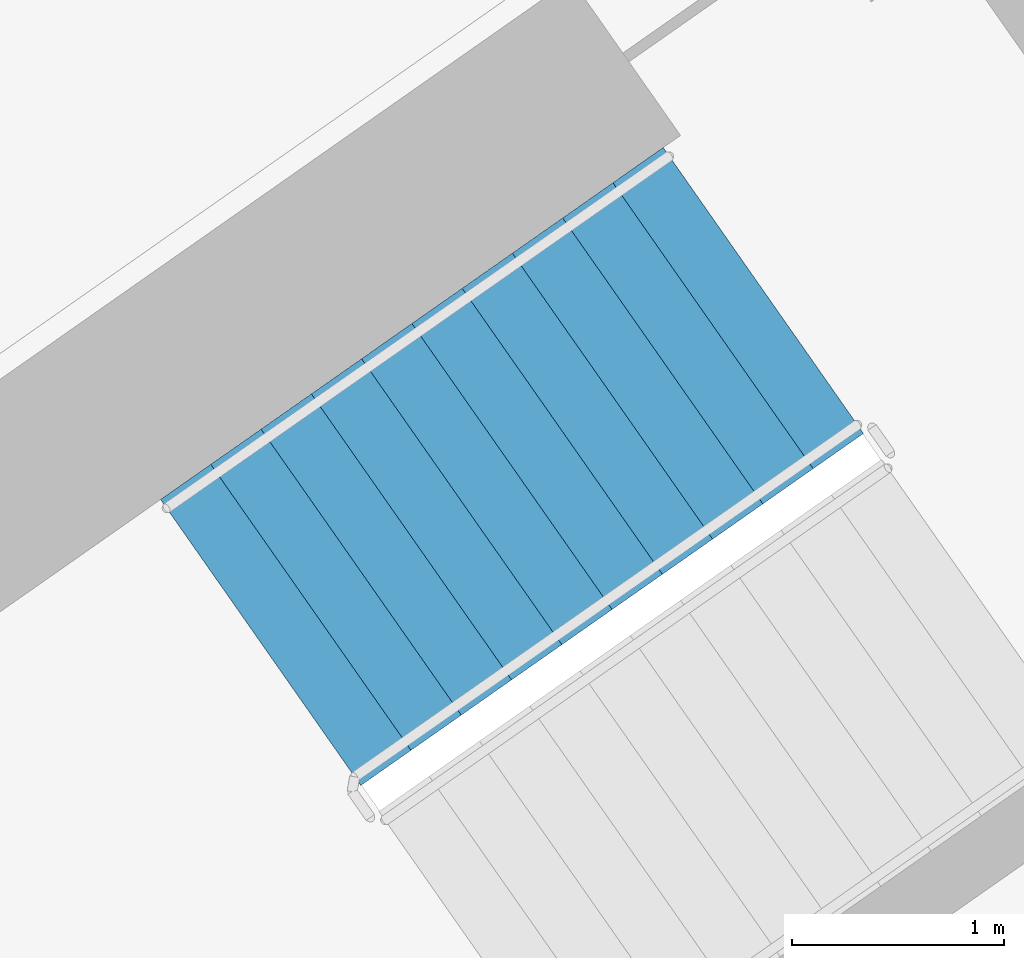
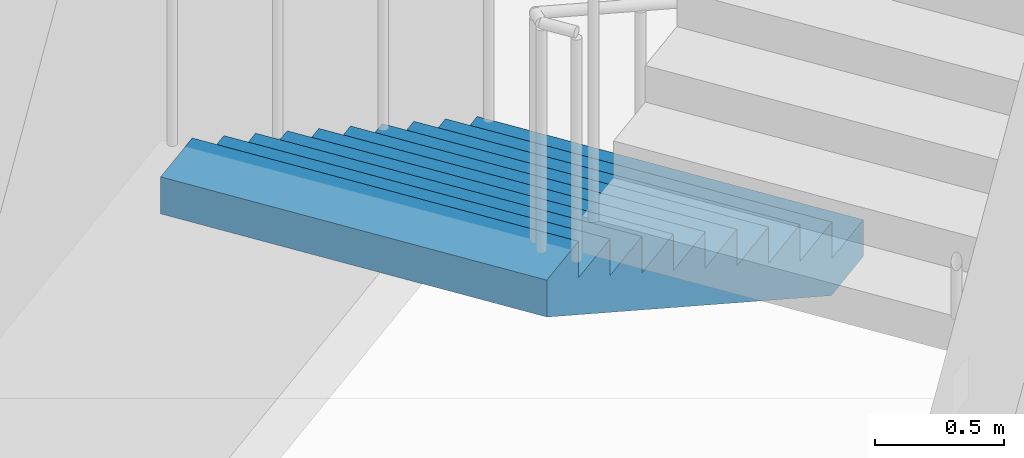
# One storey, part 15 of 29: 1 stair flight, 1 element without a shape of its own.
"""IFC4 building model written with IfcOpenShell, lengths in metres."""

from ifc_helpers import new_model, si_unit, direction, frame, origin, place, context, subcontext, project, spatial, faceted_brep, material, type_object, element, aggregate, save


model = new_model("IFC4")

# Units and contexts
model_context = context("Model", 3, precision=1e-05, world=origin(), true_north=direction((0.0, 1.0)))
body_context = subcontext(model_context, "Body", "Model", "MODEL_VIEW")
ifc_project = project(units=[si_unit("LENGTHUNIT", "METRE"), si_unit("AREAUNIT", "SQUARE_METRE"), si_unit("VOLUMEUNIT", "CUBIC_METRE"), si_unit("PLANEANGLEUNIT", "RADIAN"), si_unit("MASSUNIT", "GRAM", prefix="KILO")], contexts=[model_context])

# Site, building, storey
site_placement = place(None, origin())
site = spatial("IfcSite", under=ifc_project, at=site_placement, CompositionType="ELEMENT")
building_placement = place(site_placement, origin())
building = spatial("IfcBuilding", under=site, at=building_placement, Name="Qamariyya Broadcast Tower", CompositionType="ELEMENT")
storey_placement = place(building_placement, frame((0.0, 0.0, 113.89990234375)))
storey = spatial("IfcBuildingStorey", under=building, at=storey_placement, Name="L25", CompositionType="ELEMENT", Elevation=113.89990234375)

# Stair, stair flight
ifc_material = material(Name="Concrete C50/60", Category="concrete")
stair_type = type_object("IfcStairType", Name="Exit stair 22 risers of 173 mm", PredefinedType="HALF_TURN_STAIR", material=ifc_material)
stair_placement = place(storey_placement, origin())
stair = element("IfcStair", 1, at=stair_placement, inside=storey, type_object=stair_type, Name="L25 Stair E2", PredefinedType="HALF_TURN_STAIR")
stair_flight_type = type_object("IfcStairFlightType", Name="Exit stair flight 11 risers of 173 mm", PredefinedType="STRAIGHT", material=ifc_material)
stair_flight_placement = place(storey_placement, frame((40.558837890625, -47.685302734375, 0.0), z_axis=(0.0, 0.0, 1.0), x_axis=(-0.819152044289, -0.573576436351, 0.0)))
stair_flight = element("IfcStairFlight", 2, at=stair_flight_placement, type_object=stair_flight_type, Name="ST-E2 flight 1", NumberOfRisers=11, NumberOfTreads=10, PredefinedType="STRAIGHT", RiserHeight=0.172727273, TreadLength=0.29, context=body_context, shape_type="Brep", body=[
    faceted_brep([(0.0, 0.824951171875, 0.0), (0.0, 0.824951171875, 0.172607421875), (0.2900390625, 0.824951171875, 0.172607421875), (0.2900390625, 0.824951171875, 0.345458984375), (0.580078125, 0.824951171875, 0.345458984375), (0.580078125, 0.824951171875, 0.51806640625), (0.8701171875, 0.824951171875, 0.51806640625), (0.8701171875, 0.824951171875, 0.69091796875), (1.159912109375, 0.824951171875, 0.69091796875), (1.159912109375, 0.824951171875, 0.863525390625), (1.449951171875, 0.824951171875, 0.863525390625), (1.449951171875, 0.824951171875, 1.036376953125), (1.739990234375, 0.824951171875, 1.036376953125), (1.739990234375, 0.824951171875, 1.208984375), (2.030029296875, 0.824951171875, 1.208984375), (2.030029296875, 0.824951171875, 1.3818359375), (2.320068359375, 0.824951171875, 1.3818359375), (2.320068359375, 0.824951171875, 1.554443359375), (2.610107421875, 0.824951171875, 1.554443359375), (2.610107421875, 0.824951171875, 1.727294921875), (2.89990234375, 0.824951171875, 1.727294921875), (2.89990234375, 0.824951171875, 1.552734375), (0.29296875, 0.824951171875, 0.0), (0.29296875, -0.824951171875, 0.0), (2.89990234375, -0.824951171875, 1.552734375), (2.89990234375, -0.824951171875, 1.727294921875), (2.610107421875, -0.824951171875, 1.727294921875), (2.610107421875, -0.824951171875, 1.554443359375), (2.320068359375, -0.824951171875, 1.554443359375), (2.320068359375, -0.824951171875, 1.3818359375), (2.030029296875, -0.824951171875, 1.3818359375), (2.030029296875, -0.824951171875, 1.208984375), (1.739990234375, -0.824951171875, 1.208984375), (1.739990234375, -0.824951171875, 1.036376953125), (1.449951171875, -0.824951171875, 1.036376953125), (1.449951171875, -0.824951171875, 0.863525390625), (1.159912109375, -0.824951171875, 0.863525390625), (1.159912109375, -0.824951171875, 0.69091796875), (0.8701171875, -0.824951171875, 0.69091796875), (0.8701171875, -0.824951171875, 0.51806640625), (0.580078125, -0.824951171875, 0.51806640625), (0.580078125, -0.824951171875, 0.345458984375), (0.2900390625, -0.824951171875, 0.345458984375), (0.2900390625, -0.824951171875, 0.172607421875), (0.0, -0.824951171875, 0.172607421875), (0.0, -0.824951171875, 0.0), (0.0, 0.10009765625, 0.0), (0.0, 0.086669921875, 0.0), (0.0, 0.0732421875, 0.0), (0.0, 0.06005859375, 0.0), (0.0, 0.046630859375, 0.0), (0.0, 0.033447265625, 0.0), (0.0, 0.02001953125, 0.0), (0.0, 0.006591796875, 0.0), (0.0, -0.006591796875, 0.0), (0.0, -0.02001953125, 0.0), (0.0, -0.033447265625, 0.0), (0.0, -0.046630859375, 0.0), (0.0, -0.06005859375, 0.0), (0.0, -0.0732421875, 0.0), (0.0, -0.086669921875, 0.0), (0.0, -0.10009765625, 0.0), (0.0, -0.10009765625, 0.172607421875), (0.0, -0.086669921875, 0.172607421875), (0.0, -0.0732421875, 0.172607421875), (0.0, -0.06005859375, 0.172607421875), (0.0, -0.046630859375, 0.172607421875), (0.0, -0.033447265625, 0.172607421875), (0.0, -0.02001953125, 0.172607421875), (0.0, -0.006591796875, 0.172607421875), (0.0, 0.006591796875, 0.172607421875), (0.0, 0.02001953125, 0.172607421875), (0.0, 0.033447265625, 0.172607421875), (0.0, 0.046630859375, 0.172607421875), (0.0, 0.06005859375, 0.172607421875), (0.0, 0.0732421875, 0.172607421875), (0.0, 0.086669921875, 0.172607421875), (0.0, 0.10009765625, 0.172607421875), (0.2900390625, -0.10009765625, 0.172607421875), (0.2900390625, -0.086669921875, 0.172607421875), (0.2900390625, -0.0732421875, 0.172607421875), (0.2900390625, -0.06005859375, 0.172607421875), (0.2900390625, -0.046630859375, 0.172607421875), (0.2900390625, -0.033447265625, 0.172607421875), (0.2900390625, -0.02001953125, 0.172607421875), (0.2900390625, -0.006591796875, 0.172607421875), (0.2900390625, 0.006591796875, 0.172607421875), (0.2900390625, 0.02001953125, 0.172607421875), (0.2900390625, 0.033447265625, 0.172607421875), (0.2900390625, 0.046630859375, 0.172607421875), (0.2900390625, 0.06005859375, 0.172607421875), (0.2900390625, 0.0732421875, 0.172607421875), (0.2900390625, 0.086669921875, 0.172607421875), (0.2900390625, 0.10009765625, 0.172607421875), (0.2900390625, -0.10009765625, 0.345458984375), (0.2900390625, -0.086669921875, 0.345458984375), (0.2900390625, -0.0732421875, 0.345458984375), (0.2900390625, -0.06005859375, 0.345458984375), (0.2900390625, -0.046630859375, 0.345458984375), (0.2900390625, -0.033447265625, 0.345458984375), (0.2900390625, -0.02001953125, 0.345458984375), (0.2900390625, -0.006591796875, 0.345458984375), (0.2900390625, 0.006591796875, 0.345458984375), (0.2900390625, 0.02001953125, 0.345458984375), (0.2900390625, 0.033447265625, 0.345458984375), (0.2900390625, 0.046630859375, 0.345458984375), (0.2900390625, 0.06005859375, 0.345458984375), (0.2900390625, 0.0732421875, 0.345458984375), (0.2900390625, 0.086669921875, 0.345458984375), (0.2900390625, 0.10009765625, 0.345458984375), (0.580078125, -0.10009765625, 0.345458984375), (0.580078125, -0.086669921875, 0.345458984375), (0.580078125, -0.0732421875, 0.345458984375), (0.580078125, -0.06005859375, 0.345458984375), (0.580078125, -0.046630859375, 0.345458984375), (0.580078125, -0.033447265625, 0.345458984375), (0.580078125, -0.02001953125, 0.345458984375), (0.580078125, -0.006591796875, 0.345458984375), (0.580078125, 0.006591796875, 0.345458984375), (0.580078125, 0.02001953125, 0.345458984375), (0.580078125, 0.033447265625, 0.345458984375), (0.580078125, 0.046630859375, 0.345458984375), (0.580078125, 0.06005859375, 0.345458984375), (0.580078125, 0.0732421875, 0.345458984375), (0.580078125, 0.086669921875, 0.345458984375), (0.580078125, 0.10009765625, 0.345458984375), (0.580078125, -0.10009765625, 0.51806640625), (0.580078125, -0.086669921875, 0.51806640625), (0.580078125, -0.0732421875, 0.51806640625), (0.580078125, -0.06005859375, 0.51806640625), (0.580078125, -0.046630859375, 0.51806640625), (0.580078125, -0.033447265625, 0.51806640625), (0.580078125, -0.02001953125, 0.51806640625), (0.580078125, -0.006591796875, 0.51806640625), (0.580078125, 0.006591796875, 0.51806640625), (0.580078125, 0.02001953125, 0.51806640625), (0.580078125, 0.033447265625, 0.51806640625), (0.580078125, 0.046630859375, 0.51806640625), (0.580078125, 0.06005859375, 0.51806640625), (0.580078125, 0.0732421875, 0.51806640625), (0.580078125, 0.086669921875, 0.51806640625), (0.580078125, 0.10009765625, 0.51806640625), (0.8701171875, -0.10009765625, 0.51806640625), (0.8701171875, -0.086669921875, 0.51806640625), (0.8701171875, -0.0732421875, 0.51806640625), (0.8701171875, -0.06005859375, 0.51806640625), (0.8701171875, -0.046630859375, 0.51806640625), (0.8701171875, -0.033447265625, 0.51806640625), (0.8701171875, -0.02001953125, 0.51806640625), (0.8701171875, -0.006591796875, 0.51806640625), (0.8701171875, 0.006591796875, 0.51806640625), (0.8701171875, 0.02001953125, 0.51806640625), (0.8701171875, 0.033447265625, 0.51806640625), (0.8701171875, 0.046630859375, 0.51806640625), (0.8701171875, 0.06005859375, 0.51806640625), (0.8701171875, 0.0732421875, 0.51806640625), (0.8701171875, 0.086669921875, 0.51806640625), (0.8701171875, 0.10009765625, 0.51806640625), (0.8701171875, -0.10009765625, 0.69091796875), (0.8701171875, -0.086669921875, 0.69091796875), (0.8701171875, -0.0732421875, 0.69091796875), (0.8701171875, -0.06005859375, 0.69091796875), (0.8701171875, -0.046630859375, 0.69091796875), (0.8701171875, -0.033447265625, 0.69091796875), (0.8701171875, -0.02001953125, 0.69091796875), (0.8701171875, -0.006591796875, 0.69091796875), (0.8701171875, 0.006591796875, 0.69091796875), (0.8701171875, 0.02001953125, 0.69091796875), (0.8701171875, 0.033447265625, 0.69091796875), (0.8701171875, 0.046630859375, 0.69091796875), (0.8701171875, 0.06005859375, 0.69091796875), (0.8701171875, 0.0732421875, 0.69091796875), (0.8701171875, 0.086669921875, 0.69091796875), (0.8701171875, 0.10009765625, 0.69091796875), (1.159912109375, -0.10009765625, 0.69091796875), (1.159912109375, -0.086669921875, 0.69091796875), (1.159912109375, -0.0732421875, 0.69091796875), (1.159912109375, -0.06005859375, 0.69091796875), (1.159912109375, -0.046630859375, 0.69091796875), (1.159912109375, -0.033447265625, 0.69091796875), (1.159912109375, -0.02001953125, 0.69091796875), (1.159912109375, -0.006591796875, 0.69091796875), (1.159912109375, 0.006591796875, 0.69091796875), (1.159912109375, 0.02001953125, 0.69091796875), (1.159912109375, 0.033447265625, 0.69091796875), (1.159912109375, 0.046630859375, 0.69091796875), (1.159912109375, 0.06005859375, 0.69091796875), (1.159912109375, 0.0732421875, 0.69091796875), (1.159912109375, 0.086669921875, 0.69091796875), (1.159912109375, 0.10009765625, 0.69091796875), (1.159912109375, -0.10009765625, 0.863525390625), (1.159912109375, -0.086669921875, 0.863525390625), (1.159912109375, -0.0732421875, 0.863525390625), (1.159912109375, -0.06005859375, 0.863525390625), (1.159912109375, -0.046630859375, 0.863525390625), (1.159912109375, -0.033447265625, 0.863525390625), (1.159912109375, -0.02001953125, 0.863525390625), (1.159912109375, -0.006591796875, 0.863525390625), (1.159912109375, 0.006591796875, 0.863525390625), (1.159912109375, 0.02001953125, 0.863525390625), (1.159912109375, 0.033447265625, 0.863525390625), (1.159912109375, 0.046630859375, 0.863525390625), (1.159912109375, 0.06005859375, 0.863525390625), (1.159912109375, 0.0732421875, 0.863525390625), (1.159912109375, 0.086669921875, 0.863525390625), (1.159912109375, 0.10009765625, 0.863525390625), (1.449951171875, -0.10009765625, 0.863525390625), (1.449951171875, -0.086669921875, 0.863525390625), (1.449951171875, -0.0732421875, 0.863525390625), (1.449951171875, -0.06005859375, 0.863525390625), (1.449951171875, -0.046630859375, 0.863525390625), (1.449951171875, -0.033447265625, 0.863525390625), (1.449951171875, -0.02001953125, 0.863525390625), (1.449951171875, -0.006591796875, 0.863525390625), (1.449951171875, 0.006591796875, 0.863525390625), (1.449951171875, 0.02001953125, 0.863525390625), (1.449951171875, 0.033447265625, 0.863525390625), (1.449951171875, 0.046630859375, 0.863525390625), (1.449951171875, 0.06005859375, 0.863525390625), (1.449951171875, 0.0732421875, 0.863525390625), (1.449951171875, 0.086669921875, 0.863525390625), (1.449951171875, 0.10009765625, 0.863525390625), (1.449951171875, -0.10009765625, 1.036376953125), (1.449951171875, -0.086669921875, 1.036376953125), (1.449951171875, -0.0732421875, 1.036376953125), (1.449951171875, -0.06005859375, 1.036376953125), (1.449951171875, -0.046630859375, 1.036376953125), (1.449951171875, -0.033447265625, 1.036376953125), (1.449951171875, -0.02001953125, 1.036376953125), (1.449951171875, -0.006591796875, 1.036376953125), (1.449951171875, 0.006591796875, 1.036376953125), (1.449951171875, 0.02001953125, 1.036376953125), (1.449951171875, 0.033447265625, 1.036376953125), (1.449951171875, 0.046630859375, 1.036376953125), (1.449951171875, 0.06005859375, 1.036376953125), (1.449951171875, 0.0732421875, 1.036376953125), (1.449951171875, 0.086669921875, 1.036376953125), (1.449951171875, 0.10009765625, 1.036376953125), (1.739990234375, -0.10009765625, 1.036376953125), (1.739990234375, -0.086669921875, 1.036376953125), (1.739990234375, -0.0732421875, 1.036376953125), (1.739990234375, -0.06005859375, 1.036376953125), (1.739990234375, -0.046630859375, 1.036376953125), (1.739990234375, -0.033447265625, 1.036376953125), (1.739990234375, -0.02001953125, 1.036376953125), (1.739990234375, -0.006591796875, 1.036376953125), (1.739990234375, 0.006591796875, 1.036376953125), (1.739990234375, 0.02001953125, 1.036376953125), (1.739990234375, 0.033447265625, 1.036376953125), (1.739990234375, 0.046630859375, 1.036376953125), (1.739990234375, 0.06005859375, 1.036376953125), (1.739990234375, 0.0732421875, 1.036376953125), (1.739990234375, 0.086669921875, 1.036376953125), (1.739990234375, 0.10009765625, 1.036376953125), (1.739990234375, -0.10009765625, 1.208984375), (1.739990234375, -0.086669921875, 1.208984375), (1.739990234375, -0.0732421875, 1.208984375), (1.739990234375, -0.06005859375, 1.208984375), (1.739990234375, -0.046630859375, 1.208984375), (1.739990234375, -0.033447265625, 1.208984375), (1.739990234375, -0.02001953125, 1.208984375), (1.739990234375, -0.006591796875, 1.208984375), (1.739990234375, 0.006591796875, 1.208984375), (1.739990234375, 0.02001953125, 1.208984375), (1.739990234375, 0.033447265625, 1.208984375), (1.739990234375, 0.046630859375, 1.208984375), (1.739990234375, 0.06005859375, 1.208984375), (1.739990234375, 0.0732421875, 1.208984375), (1.739990234375, 0.086669921875, 1.208984375), (1.739990234375, 0.10009765625, 1.208984375), (2.030029296875, -0.10009765625, 1.208984375), (2.030029296875, -0.086669921875, 1.208984375), (2.030029296875, -0.0732421875, 1.208984375), (2.030029296875, -0.06005859375, 1.208984375), (2.030029296875, -0.046630859375, 1.208984375), (2.030029296875, -0.033447265625, 1.208984375), (2.030029296875, -0.02001953125, 1.208984375), (2.030029296875, -0.006591796875, 1.208984375), (2.030029296875, 0.006591796875, 1.208984375), (2.030029296875, 0.02001953125, 1.208984375), (2.030029296875, 0.033447265625, 1.208984375), (2.030029296875, 0.046630859375, 1.208984375), (2.030029296875, 0.06005859375, 1.208984375), (2.030029296875, 0.0732421875, 1.208984375), (2.030029296875, 0.086669921875, 1.208984375), (2.030029296875, 0.10009765625, 1.208984375), (2.030029296875, -0.10009765625, 1.3818359375), (2.030029296875, -0.086669921875, 1.3818359375), (2.030029296875, -0.0732421875, 1.3818359375), (2.030029296875, -0.06005859375, 1.3818359375), (2.030029296875, -0.046630859375, 1.3818359375), (2.030029296875, -0.033447265625, 1.3818359375), (2.030029296875, -0.02001953125, 1.3818359375), (2.030029296875, -0.006591796875, 1.3818359375), (2.030029296875, 0.006591796875, 1.3818359375), (2.030029296875, 0.02001953125, 1.3818359375), (2.030029296875, 0.033447265625, 1.3818359375), (2.030029296875, 0.046630859375, 1.3818359375), (2.030029296875, 0.06005859375, 1.3818359375), (2.030029296875, 0.0732421875, 1.3818359375), (2.030029296875, 0.086669921875, 1.3818359375), (2.030029296875, 0.10009765625, 1.3818359375), (2.320068359375, -0.10009765625, 1.3818359375), (2.320068359375, -0.086669921875, 1.3818359375), (2.320068359375, -0.0732421875, 1.3818359375), (2.320068359375, -0.06005859375, 1.3818359375), (2.320068359375, -0.046630859375, 1.3818359375), (2.320068359375, -0.033447265625, 1.3818359375), (2.320068359375, -0.02001953125, 1.3818359375), (2.320068359375, -0.006591796875, 1.3818359375), (2.320068359375, 0.006591796875, 1.3818359375), (2.320068359375, 0.02001953125, 1.3818359375), (2.320068359375, 0.033447265625, 1.3818359375), (2.320068359375, 0.046630859375, 1.3818359375), (2.320068359375, 0.06005859375, 1.3818359375), (2.320068359375, 0.0732421875, 1.3818359375), (2.320068359375, 0.086669921875, 1.3818359375), (2.320068359375, 0.10009765625, 1.3818359375), (2.320068359375, -0.10009765625, 1.554443359375), (2.320068359375, -0.086669921875, 1.554443359375), (2.320068359375, -0.0732421875, 1.554443359375), (2.320068359375, -0.06005859375, 1.554443359375), (2.320068359375, -0.046630859375, 1.554443359375), (2.320068359375, -0.033447265625, 1.554443359375), (2.320068359375, -0.02001953125, 1.554443359375), (2.320068359375, -0.006591796875, 1.554443359375), (2.320068359375, 0.006591796875, 1.554443359375), (2.320068359375, 0.02001953125, 1.554443359375), (2.320068359375, 0.033447265625, 1.554443359375), (2.320068359375, 0.046630859375, 1.554443359375), (2.320068359375, 0.06005859375, 1.554443359375), (2.320068359375, 0.0732421875, 1.554443359375), (2.320068359375, 0.086669921875, 1.554443359375), (2.320068359375, 0.10009765625, 1.554443359375), (2.610107421875, -0.10009765625, 1.554443359375), (2.610107421875, -0.086669921875, 1.554443359375), (2.610107421875, -0.0732421875, 1.554443359375), (2.610107421875, -0.06005859375, 1.554443359375), (2.610107421875, -0.046630859375, 1.554443359375), (2.610107421875, -0.033447265625, 1.554443359375), (2.610107421875, -0.02001953125, 1.554443359375), (2.610107421875, -0.006591796875, 1.554443359375), (2.610107421875, 0.006591796875, 1.554443359375), (2.610107421875, 0.02001953125, 1.554443359375), (2.610107421875, 0.033447265625, 1.554443359375), (2.610107421875, 0.046630859375, 1.554443359375), (2.610107421875, 0.06005859375, 1.554443359375), (2.610107421875, 0.0732421875, 1.554443359375), (2.610107421875, 0.086669921875, 1.554443359375), (2.610107421875, 0.10009765625, 1.554443359375), (2.610107421875, -0.10009765625, 1.727294921875), (2.610107421875, -0.086669921875, 1.727294921875), (2.610107421875, -0.0732421875, 1.727294921875), (2.610107421875, -0.06005859375, 1.727294921875), (2.610107421875, -0.046630859375, 1.727294921875), (2.610107421875, -0.033447265625, 1.727294921875), (2.610107421875, -0.02001953125, 1.727294921875), (2.610107421875, -0.006591796875, 1.727294921875), (2.610107421875, 0.006591796875, 1.727294921875), (2.610107421875, 0.02001953125, 1.727294921875), (2.610107421875, 0.033447265625, 1.727294921875), (2.610107421875, 0.046630859375, 1.727294921875), (2.610107421875, 0.06005859375, 1.727294921875), (2.610107421875, 0.0732421875, 1.727294921875), (2.610107421875, 0.086669921875, 1.727294921875), (2.610107421875, 0.10009765625, 1.727294921875), (2.89990234375, -0.10009765625, 1.727294921875), (2.89990234375, -0.086669921875, 1.727294921875), (2.89990234375, -0.0732421875, 1.727294921875), (2.89990234375, -0.06005859375, 1.727294921875), (2.89990234375, -0.046630859375, 1.727294921875), (2.89990234375, -0.033447265625, 1.727294921875), (2.89990234375, -0.02001953125, 1.727294921875), (2.89990234375, -0.006591796875, 1.727294921875), (2.89990234375, 0.006591796875, 1.727294921875), (2.89990234375, 0.02001953125, 1.727294921875), (2.89990234375, 0.033447265625, 1.727294921875), (2.89990234375, 0.046630859375, 1.727294921875), (2.89990234375, 0.06005859375, 1.727294921875), (2.89990234375, 0.0732421875, 1.727294921875), (2.89990234375, 0.086669921875, 1.727294921875), (2.89990234375, 0.10009765625, 1.727294921875), (2.89990234375, -0.10009765625, 1.552734375), (2.89990234375, -0.086669921875, 1.552734375), (2.89990234375, -0.0732421875, 1.552734375), (2.89990234375, -0.06005859375, 1.552734375), (2.89990234375, -0.046630859375, 1.552734375), (2.89990234375, -0.033447265625, 1.552734375), (2.89990234375, -0.02001953125, 1.552734375), (2.89990234375, -0.006591796875, 1.552734375), (2.89990234375, 0.006591796875, 1.552734375), (2.89990234375, 0.02001953125, 1.552734375), (2.89990234375, 0.033447265625, 1.552734375), (2.89990234375, 0.046630859375, 1.552734375), (2.89990234375, 0.06005859375, 1.552734375), (2.89990234375, 0.0732421875, 1.552734375), (2.89990234375, 0.086669921875, 1.552734375), (2.89990234375, 0.10009765625, 1.552734375), (0.29296875, -0.10009765625, 0.0), (0.29296875, -0.086669921875, 0.0), (0.29296875, -0.0732421875, 0.0), (0.29296875, -0.06005859375, 0.0), (0.29296875, -0.046630859375, 0.0), (0.29296875, -0.033447265625, 0.0), (0.29296875, -0.02001953125, 0.0), (0.29296875, -0.006591796875, 0.0), (0.29296875, 0.006591796875, 0.0), (0.29296875, 0.02001953125, 0.0), (0.29296875, 0.033447265625, 0.0), (0.29296875, 0.046630859375, 0.0), (0.29296875, 0.06005859375, 0.0), (0.29296875, 0.0732421875, 0.0), (0.29296875, 0.086669921875, 0.0), (0.29296875, 0.10009765625, 0.0)], [[[0, 1, 2, 3, 4, 5, 6, 7, 8, 9, 10, 11, 12, 13, 14, 15, 16, 17, 18, 19, 20, 21, 22]], [[23, 24, 25, 26, 27, 28, 29, 30, 31, 32, 33, 34, 35, 36, 37, 38, 39, 40, 41, 42, 43, 44, 45]], [[0, 46, 47, 48, 49, 50, 51, 52, 53, 54, 55, 56, 57, 58, 59, 60, 61, 45, 44, 62, 63, 64, 65, 66, 67, 68, 69, 70, 71, 72, 73, 74, 75, 76, 77, 1]], [[1, 77, 76, 75, 74, 73, 72, 71, 70, 69, 68, 67, 66, 65, 64, 63, 62, 44, 43, 78, 79, 80, 81, 82, 83, 84, 85, 86, 87, 88, 89, 90, 91, 92, 93, 2]], [[2, 93, 92, 91, 90, 89, 88, 87, 86, 85, 84, 83, 82, 81, 80, 79, 78, 43, 42, 94, 95, 96, 97, 98, 99, 100, 101, 102, 103, 104, 105, 106, 107, 108, 109, 3]], [[3, 109, 108, 107, 106, 105, 104, 103, 102, 101, 100, 99, 98, 97, 96, 95, 94, 42, 41, 110, 111, 112, 113, 114, 115, 116, 117, 118, 119, 120, 121, 122, 123, 124, 125, 4]], [[4, 125, 124, 123, 122, 121, 120, 119, 118, 117, 116, 115, 114, 113, 112, 111, 110, 41, 40, 126, 127, 128, 129, 130, 131, 132, 133, 134, 135, 136, 137, 138, 139, 140, 141, 5]], [[5, 141, 140, 139, 138, 137, 136, 135, 134, 133, 132, 131, 130, 129, 128, 127, 126, 40, 39, 142, 143, 144, 145, 146, 147, 148, 149, 150, 151, 152, 153, 154, 155, 156, 157, 6]], [[6, 157, 156, 155, 154, 153, 152, 151, 150, 149, 148, 147, 146, 145, 144, 143, 142, 39, 38, 158, 159, 160, 161, 162, 163, 164, 165, 166, 167, 168, 169, 170, 171, 172, 173, 7]], [[7, 173, 172, 171, 170, 169, 168, 167, 166, 165, 164, 163, 162, 161, 160, 159, 158, 38, 37, 174, 175, 176, 177, 178, 179, 180, 181, 182, 183, 184, 185, 186, 187, 188, 189, 8]], [[8, 189, 188, 187, 186, 185, 184, 183, 182, 181, 180, 179, 178, 177, 176, 175, 174, 37, 36, 190, 191, 192, 193, 194, 195, 196, 197, 198, 199, 200, 201, 202, 203, 204, 205, 9]], [[9, 205, 204, 203, 202, 201, 200, 199, 198, 197, 196, 195, 194, 193, 192, 191, 190, 36, 35, 206, 207, 208, 209, 210, 211, 212, 213, 214, 215, 216, 217, 218, 219, 220, 221, 10]], [[10, 221, 220, 219, 218, 217, 216, 215, 214, 213, 212, 211, 210, 209, 208, 207, 206, 35, 34, 222, 223, 224, 225, 226, 227, 228, 229, 230, 231, 232, 233, 234, 235, 236, 237, 11]], [[11, 237, 236, 235, 234, 233, 232, 231, 230, 229, 228, 227, 226, 225, 224, 223, 222, 34, 33, 238, 239, 240, 241, 242, 243, 244, 245, 246, 247, 248, 249, 250, 251, 252, 253, 12]], [[12, 253, 252, 251, 250, 249, 248, 247, 246, 245, 244, 243, 242, 241, 240, 239, 238, 33, 32, 254, 255, 256, 257, 258, 259, 260, 261, 262, 263, 264, 265, 266, 267, 268, 269, 13]], [[13, 269, 268, 267, 266, 265, 264, 263, 262, 261, 260, 259, 258, 257, 256, 255, 254, 32, 31, 270, 271, 272, 273, 274, 275, 276, 277, 278, 279, 280, 281, 282, 283, 284, 285, 14]], [[14, 285, 284, 283, 282, 281, 280, 279, 278, 277, 276, 275, 274, 273, 272, 271, 270, 31, 30, 286, 287, 288, 289, 290, 291, 292, 293, 294, 295, 296, 297, 298, 299, 300, 301, 15]], [[15, 301, 300, 299, 298, 297, 296, 295, 294, 293, 292, 291, 290, 289, 288, 287, 286, 30, 29, 302, 303, 304, 305, 306, 307, 308, 309, 310, 311, 312, 313, 314, 315, 316, 317, 16]], [[16, 317, 316, 315, 314, 313, 312, 311, 310, 309, 308, 307, 306, 305, 304, 303, 302, 29, 28, 318, 319, 320, 321, 322, 323, 324, 325, 326, 327, 328, 329, 330, 331, 332, 333, 17]], [[17, 333, 332, 331, 330, 329, 328, 327, 326, 325, 324, 323, 322, 321, 320, 319, 318, 28, 27, 334, 335, 336, 337, 338, 339, 340, 341, 342, 343, 344, 345, 346, 347, 348, 349, 18]], [[18, 349, 348, 347, 346, 345, 344, 343, 342, 341, 340, 339, 338, 337, 336, 335, 334, 27, 26, 350, 351, 352, 353, 354, 355, 356, 357, 358, 359, 360, 361, 362, 363, 364, 365, 19]], [[19, 365, 364, 363, 362, 361, 360, 359, 358, 357, 356, 355, 354, 353, 352, 351, 350, 26, 25, 366, 367, 368, 369, 370, 371, 372, 373, 374, 375, 376, 377, 378, 379, 380, 381, 20]], [[20, 381, 380, 379, 378, 377, 376, 375, 374, 373, 372, 371, 370, 369, 368, 367, 366, 25, 24, 382, 383, 384, 385, 386, 387, 388, 389, 390, 391, 392, 393, 394, 395, 396, 397, 21]], [[21, 397, 396, 395, 394, 393, 392, 391, 390, 389, 388, 387, 386, 385, 384, 383, 382, 24, 23, 398, 399, 400, 401, 402, 403, 404, 405, 406, 407, 408, 409, 410, 411, 412, 413, 22]], [[22, 413, 412, 411, 410, 409, 408, 407, 406, 405, 404, 403, 402, 401, 400, 399, 398, 23, 45, 61, 60, 59, 58, 57, 56, 55, 54, 53, 52, 51, 50, 49, 48, 47, 46, 0]]]),
])
aggregate(stair, [stair_flight])

save(model, "model.ifc")
